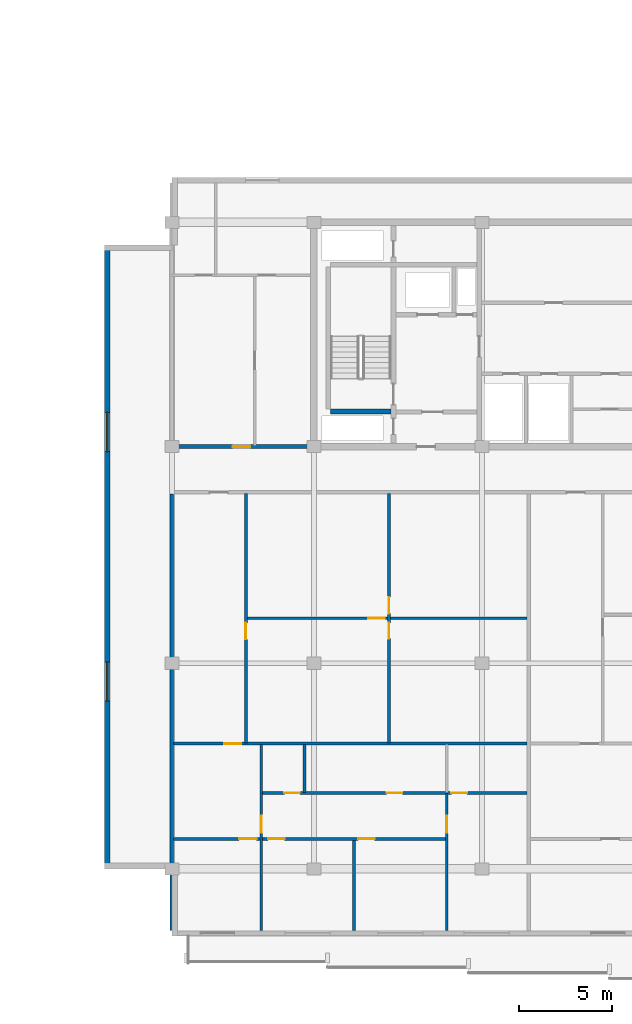
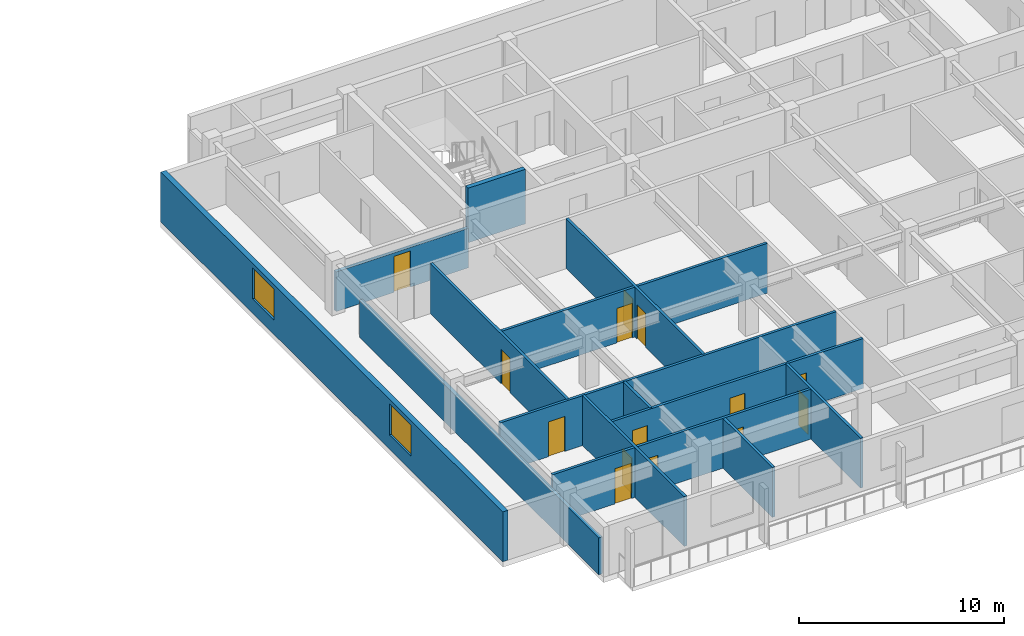
# One storey, part 4 of 23: 14 doors, 14 walls, 2 windows, 16 openings.
"""IFC4 building model written with IfcOpenShell, lengths in metres."""

from ifc_helpers import new_model, si_unit, direction, frame, frame_2d, origin, place, context, subcontext, project, spatial, rectangle, extrude, material, layer, layer_set, type_object, element, fill, save


model = new_model("IFC4")

# Units and contexts
model_context = context("Model", 3, precision=1e-05, world=origin(), true_north=direction((0.0, 1.0)))
body_context = subcontext(model_context, "Body", "Model", "MODEL_VIEW")
ifc_project = project(units=[si_unit("LENGTHUNIT", "METRE"), si_unit("AREAUNIT", "SQUARE_METRE"), si_unit("VOLUMEUNIT", "CUBIC_METRE"), si_unit("PLANEANGLEUNIT", "RADIAN"), si_unit("MASSUNIT", "GRAM", prefix="KILO")], contexts=[model_context])

# Site, building, storey
site_placement = place(None, origin())
site = spatial("IfcSite", under=ifc_project, at=site_placement, CompositionType="ELEMENT")
building_placement = place(site_placement, origin())
building = spatial("IfcBuilding", under=site, at=building_placement, Name="Korimba Cascade Residences", CompositionType="ELEMENT")
storey_placement = place(building_placement, frame((0.0, 0.0, 162.10009765625)))
storey = spatial("IfcBuildingStorey", under=building, at=storey_placement, Name="L46", CompositionType="ELEMENT", Elevation=162.10009765625)

# Wall, openings, windows
ifc_material_1 = material(Name="Precast concrete C40/50", Category="concrete")
ifc_layer_1 = layer(ifc_material_1, 0.300048828125)
ifc_layer_set_1 = layer_set([ifc_layer_1], Name="Precast concrete C40/50")
wall_type_1 = type_object("IfcWallType", Name="EW-STONE-300", PredefinedType="STANDARD", material=ifc_layer_set_1)
wall_1_placement = place(storey_placement, frame((71.050048828125, 29.199951171875, 0.0), z_axis=(0.0, 0.0, 1.0), x_axis=(0.0, -1.0, 0.0)))
wall_1 = element("IfcWall", 1, at=wall_1_placement, inside=storey, type_object=wall_type_1, Name="L46 T2 Perimeter Stone Wall E09", PredefinedType="STANDARD", context=body_context, shape_type="SweptSolid", body=[
    extrude(rectangle(XDim=33.39990234375, YDim=0.300048828125, at=frame_2d((16.699951171875, 0.0))), origin(), (0.0, 0.0, 1.0), 2.969970703125),
])
opening_1_placement = place(wall_1_placement, frame((8.969970703125, 0.0, 0.85009765625)))
opening_1 = element("IfcOpeningElement", 2, at=opening_1_placement, cuts=wall_1, Name="Opening W-03", PredefinedType="OPENING", context=body_context, shape_type="SweptSolid", body=[
    extrude(rectangle(XDim=2.10009765625, YDim=1.85009765625, at=frame_2d((1.050048828125, 0.925048828125))), frame((0.0, 0.16015625, 0.0), z_axis=(0.0, -1.0, 0.0), x_axis=(1.0, 0.0, 0.0)), (0.0, 0.0, 1.0), 0.320068359375),
])
opening_2_placement = place(wall_1_placement, frame((22.330078125, 0.0, 0.85009765625)))
opening_2 = element("IfcOpeningElement", 3, at=opening_2_placement, cuts=wall_1, Name="Opening W-03", PredefinedType="OPENING", context=body_context, shape_type="SweptSolid", body=[
    extrude(rectangle(XDim=2.10009765625, YDim=1.85009765625, at=frame_2d((1.050048828125, 0.925048828125))), frame((0.0, 0.16015625, 0.0), z_axis=(0.0, -1.0, 0.0), x_axis=(1.0, 0.0, 0.0)), (0.0, 0.0, 1.0), 0.320068359375),
])
ifc_material_2 = material(Name="Double-Glazed Aluminium Window", Category="aluminium")
window_type = type_object("IfcWindowType", Name="WIN-CRN-2100", PartitioningType="DOUBLE_PANEL_HORIZONTAL", PredefinedType="WINDOW", material=ifc_material_2)
window_1_placement = place(opening_1_placement, origin())
window_1 = element("IfcWindow", 4, at=window_1_placement, inside=storey, type_object=window_type, Name="L46 T2 End View Window 9.1", OverallHeight=1.85009765625, OverallWidth=2.10009765625, PartitioningType="DOUBLE_PANEL_HORIZONTAL", PredefinedType="WINDOW", context=body_context, shape_type="SweptSolid", body=[
    extrude(rectangle(XDim=2.10009765625, YDim=1.85009765625, at=frame_2d((1.050048828125, 0.925048828125))), frame((0.0, 0.030029296875, 0.0), z_axis=(0.0, -1.0, 0.0), x_axis=(1.0, 0.0, 0.0)), (0.0, 0.0, 1.0), 0.06005859375),
])
fill(opening_1, window_1)
window_2_placement = place(opening_2_placement, origin())
window_2 = element("IfcWindow", 5, at=window_2_placement, inside=storey, type_object=window_type, Name="L46 T2 End View Window 9.2", OverallHeight=1.85009765625, OverallWidth=2.10009765625, PartitioningType="DOUBLE_PANEL_HORIZONTAL", PredefinedType="WINDOW", context=body_context, shape_type="SweptSolid", body=[
    extrude(rectangle(XDim=2.10009765625, YDim=1.85009765625, at=frame_2d((1.050048828125, 0.925048828125))), frame((0.0, 0.030029296875, 0.0), z_axis=(0.0, -1.0, 0.0), x_axis=(1.0, 0.0, 0.0)), (0.0, 0.0, 1.0), 0.06005859375),
])
fill(opening_2, window_2)

# Wall, opening, door
ifc_layer_2 = layer(ifc_material_1, 0.199951171875)
ifc_layer_set_2 = layer_set([ifc_layer_2], Name="Precast concrete C40/50")
wall_type_2 = type_object("IfcWallType", Name="WAL-IT-200", PredefinedType="PARTITIONING", material=ifc_layer_set_2)
wall_2_placement = place(storey_placement, frame((74.5, 18.39990234375, 0.0), z_axis=(0.0, 0.0, 1.0), x_axis=(1.0, 0.0, 0.0)))
wall_2 = element("IfcWall", 6, at=wall_2_placement, inside=storey, type_object=wall_type_2, Name="L46 Partition Wall WAL-L46-T2-FW-S", PredefinedType="PARTITIONING", context=body_context, shape_type="SweptSolid", body=[
    extrude(rectangle(XDim=7.449951171875, YDim=0.199951171875, at=frame_2d((3.72509765625, 0.0))), origin(), (0.0, 0.0, 1.0), 2.357666015625),
])
opening_3_placement = place(wall_2_placement, frame((3.25, 0.0, 0.0)))
opening_3 = element("IfcOpeningElement", 7, at=opening_3_placement, cuts=wall_2, Name="Opening D-UN1", PredefinedType="OPENING", context=body_context, shape_type="SweptSolid", body=[
    extrude(rectangle(XDim=0.949951171875, YDim=2.14990234375, at=frame_2d((0.47509765625, 1.074951171875))), frame((0.0, 0.10986328125, 0.0), z_axis=(0.0, -1.0, 0.0), x_axis=(1.0, 0.0, 0.0)), (0.0, 0.0, 1.0), 0.219970703125),
])
ifc_material_3 = material(Name="Fire-Rated Hardwood Apartment Entrance Door", Category="wood")
door_type_1 = type_object("IfcDoorType", Name="DR-FD60-950", OperationType="NOTDEFINED", PredefinedType="DOOR", material=ifc_material_3)
door_1_placement = place(opening_3_placement, origin())
door_1 = element("IfcDoor", 8, at=door_1_placement, inside=storey, type_object=door_type_1, Name="L46-T2-FW Entrance Door", OperationType="SINGLE_SWING_LEFT", OverallHeight=2.14990234375, OverallWidth=0.949951171875, PredefinedType="DOOR", context=body_context, shape_type="SweptSolid", body=[
    extrude(rectangle(XDim=0.949951171875, YDim=2.14990234375, at=frame_2d((0.47509765625, 1.074951171875))), frame((0.0, 0.02490234375, 0.0), z_axis=(0.0, -1.0, 0.0), x_axis=(1.0, 0.0, 0.0)), (0.0, 0.0, 1.0), 0.050048828125),
])
fill(opening_3, door_1)

# Wall
wall_3_placement = place(storey_placement, frame((74.5, -7.5, 0.0), z_axis=(0.0, 0.0, 1.0), x_axis=(0.0, 1.0, 0.0)))
element("IfcWall", 9, at=wall_3_placement, inside=storey, type_object=wall_type_2, Name="L46 Partition Wall WAL-L46-T2-BNDWL", PredefinedType="PARTITIONING", context=body_context, shape_type="SweptSolid", body=[
    extrude(rectangle(XDim=23.3701171875, YDim=0.199951171875, at=frame_2d((11.68505859375, 0.0))), origin(), (0.0, 0.0, 1.0), 2.2001953125),
])

# Wall, openings, doors
ifc_material_4 = material(Name="Insulated Acoustic Stud Partition", Category="gypsum")
ifc_layer_3 = layer(ifc_material_4, 0.14990234375)
ifc_layer_set_3 = layer_set([ifc_layer_3], Name="Insulated Acoustic Stud Partition")
wall_type_3 = type_object("IfcWallType", Name="WAL-PART-150", PredefinedType="PARTITIONING", material=ifc_layer_set_3)
wall_4_placement = place(storey_placement, frame((86.12451171875, 2.5400390625, 0.0), z_axis=(0.0, 0.0, 1.0), x_axis=(0.0, 1.0, 0.0)))
wall_4 = element("IfcWall", 10, at=wall_4_placement, inside=storey, type_object=wall_type_3, Name="L46 Partition Wall WAL-L46-T2-U01-FMV", PredefinedType="PARTITIONING", context=body_context, shape_type="SweptSolid", body=[
    extrude(rectangle(XDim=13.349853515625, YDim=0.14990234375, at=frame_2d((6.6748046875, 0.0))), origin(), (0.0, 0.0, 1.0), 2.969970703125),
])
opening_4_placement = place(wall_4_placement, frame((5.5849609375, 0.0, 0.0)))
opening_4 = element("IfcOpeningElement", 11, at=opening_4_placement, cuts=wall_4, Name="Opening D-BT1", PredefinedType="OPENING", context=body_context, shape_type="SweptSolid", body=[
    extrude(rectangle(XDim=0.840087890625, YDim=2.0400390625, at=frame_2d((0.419921875, 1.02001953125))), frame((0.0, 0.0849609375, 0.0), z_axis=(0.0, -1.0, 0.0), x_axis=(1.0, 0.0, 0.0)), (0.0, 0.0, 1.0), 0.169921875),
])
opening_5_placement = place(wall_4_placement, frame((6.925048828125, 0.0, 0.0)))
opening_5 = element("IfcOpeningElement", 12, at=opening_5_placement, cuts=wall_4, Name="Opening D-IN2", PredefinedType="OPENING", context=body_context, shape_type="SweptSolid", body=[
    extrude(rectangle(XDim=0.8798828125, YDim=2.06005859375, at=frame_2d((0.43994140625, 1.030029296875))), frame((0.0, 0.0849609375, 0.0), z_axis=(0.0, -1.0, 0.0), x_axis=(1.0, 0.0, 0.0)), (0.0, 0.0, 1.0), 0.169921875),
])
ifc_material_5 = material(Name="Moisture-Resistant Bathroom Timber Door", Category="wood")
door_type_2 = type_object("IfcDoorType", Name="DR-INT-850", OperationType="NOTDEFINED", PredefinedType="DOOR", material=ifc_material_5)
door_2_placement = place(opening_4_placement, origin())
door_2 = element("IfcDoor", 13, at=door_2_placement, inside=storey, type_object=door_type_2, Name="L46-T2-U01 Wardrobe Door", OperationType="SINGLE_SWING_RIGHT", OverallHeight=2.0400390625, OverallWidth=0.840087890625, PredefinedType="DOOR", context=body_context, shape_type="SweptSolid", body=[
    extrude(rectangle(XDim=0.840087890625, YDim=2.0400390625, at=frame_2d((0.419921875, 1.02001953125))), frame((0.0, 0.02490234375, 0.0), z_axis=(0.0, -1.0, 0.0), x_axis=(1.0, 0.0, 0.0)), (0.0, 0.0, 1.0), 0.050048828125),
])
fill(opening_4, door_2)
ifc_material_6 = material(Name="Acoustic Timber Bedroom Door", Category="wood")
door_type_3 = type_object("IfcDoorType", Name="DR-INT-880", OperationType="NOTDEFINED", PredefinedType="DOOR", material=ifc_material_6)
door_3_placement = place(opening_5_placement, origin())
door_3 = element("IfcDoor", 14, at=door_3_placement, inside=storey, type_object=door_type_3, Name="L46-T2-U01 Music Lounge Door", OperationType="SINGLE_SWING_LEFT", OverallHeight=2.06005859375, OverallWidth=0.8798828125, PredefinedType="DOOR", context=body_context, shape_type="SweptSolid", body=[
    extrude(rectangle(XDim=0.8798828125, YDim=2.06005859375, at=frame_2d((0.43994140625, 1.030029296875))), frame((0.0, 0.02490234375, 0.0), z_axis=(0.0, -1.0, 0.0), x_axis=(1.0, 0.0, 0.0)), (0.0, 0.0, 1.0), 0.050048828125),
])
fill(opening_5, door_3)

# Wall, opening, door
wall_5_placement = place(storey_placement, frame((78.530029296875, 9.215087890625, 0.0), z_axis=(0.0, 0.0, 1.0), x_axis=(1.0, 0.0, 0.0)))
wall_5 = element("IfcWall", 15, at=wall_5_placement, inside=storey, type_object=wall_type_3, Name="L46 Partition Wall WAL-L46-T2-U01-FMH", PredefinedType="PARTITIONING", context=body_context, shape_type="SweptSolid", body=[
    extrude(rectangle(XDim=14.9892578125, YDim=0.14990234375, at=frame_2d((7.49462890625, 0.0))), origin(), (0.0, 0.0, 1.0), 2.969970703125),
])
opening_6_placement = place(wall_5_placement, frame((6.49462890625, 0.0, 0.0)))
opening_6 = element("IfcOpeningElement", 16, at=opening_6_placement, cuts=wall_5, Name="Opening D-IN2", PredefinedType="OPENING", context=body_context, shape_type="SweptSolid", body=[
    extrude(rectangle(XDim=0.8798828125, YDim=2.06005859375, at=frame_2d((0.43994140625, 1.030029296875))), frame((0.0, 0.0849609375, 0.0), z_axis=(0.0, -1.0, 0.0), x_axis=(1.0, 0.0, 0.0)), (0.0, 0.0, 1.0), 0.169921875),
])
door_4_placement = place(opening_6_placement, origin())
door_4 = element("IfcDoor", 17, at=door_4_placement, inside=storey, type_object=door_type_3, Name="L46-T2-U01 Library Salon Door", OperationType="SINGLE_SWING_RIGHT", OverallHeight=2.06005859375, OverallWidth=0.8798828125, PredefinedType="DOOR", context=body_context, shape_type="SweptSolid", body=[
    extrude(rectangle(XDim=0.8798828125, YDim=2.06005859375, at=frame_2d((0.43994140625, 1.030029296875))), frame((0.0, 0.02490234375, 0.0), z_axis=(0.0, -1.0, 0.0), x_axis=(1.0, 0.0, 0.0)), (0.0, 0.0, 1.0), 0.050048828125),
])
fill(opening_6, door_4)

wall_6_placement = place(storey_placement, frame((78.469970703125, 2.5400390625, 0.0), z_axis=(0.0, 0.0, 1.0), x_axis=(0.0, 1.0, 0.0)))
wall_6 = element("IfcWall", 18, at=wall_6_placement, inside=storey, type_object=wall_type_3, Name="L46 Partition Wall WAL-L46-T2-U01-FV", PredefinedType="PARTITIONING", context=body_context, shape_type="SweptSolid", body=[
    extrude(rectangle(XDim=13.349853515625, YDim=0.14990234375, at=frame_2d((6.6748046875, 0.0))), origin(), (0.0, 0.0, 1.0), 2.969970703125),
])
opening_7_placement = place(wall_6_placement, frame((5.544921875, 0.0, 0.0)))
opening_7 = element("IfcOpeningElement", 19, at=opening_7_placement, cuts=wall_6, Name="Opening D-IN2", PredefinedType="OPENING", context=body_context, shape_type="SweptSolid", body=[
    extrude(rectangle(XDim=0.8798828125, YDim=2.06005859375, at=frame_2d((0.43994140625, 1.030029296875))), frame((0.0, 0.0849609375, 0.0), z_axis=(0.0, -1.0, 0.0), x_axis=(1.0, 0.0, 0.0)), (0.0, 0.0, 1.0), 0.169921875),
])
door_5_placement = place(opening_7_placement, origin())
door_5 = element("IfcDoor", 20, at=door_5_placement, inside=storey, type_object=door_type_3, Name="L46-T2-U01 Media Lounge Door", OperationType="SINGLE_SWING_LEFT", OverallHeight=2.06005859375, OverallWidth=0.8798828125, PredefinedType="DOOR", context=body_context, shape_type="SweptSolid", body=[
    extrude(rectangle(XDim=0.8798828125, YDim=2.06005859375, at=frame_2d((0.43994140625, 1.030029296875))), frame((0.0, 0.02490234375, 0.0), z_axis=(0.0, -1.0, 0.0), x_axis=(1.0, 0.0, 0.0)), (0.0, 0.0, 1.0), 0.050048828125),
])
fill(opening_7, door_5)

# Walls
wall_7_placement = place(storey_placement, frame((81.60009765625, -0.1201171875, 0.0), z_axis=(0.0, 0.0, 1.0), x_axis=(0.0, 1.0, 0.0)))
element("IfcWall", 21, at=wall_7_placement, inside=storey, type_object=wall_type_3, Name="L46 Partition Wall WAL-L46-T2-U01-VDRS", PredefinedType="PARTITIONING", context=body_context, shape_type="SweptSolid", body=[
    extrude(rectangle(XDim=2.580078125, YDim=0.14990234375, at=frame_2d((1.2900390625, 0.0))), origin(), (0.0, 0.0, 1.0), 2.969970703125),
])
wall_8_placement = place(storey_placement, frame((84.2548828125, -7.5, 0.0), z_axis=(0.0, 0.0, 1.0), x_axis=(0.0, 1.0, 0.0)))
element("IfcWall", 22, at=wall_8_placement, inside=storey, type_object=wall_type_3, Name="L46 Partition Wall WAL-L46-T2-U01-VB3", PredefinedType="PARTITIONING", context=body_context, shape_type="SweptSolid", body=[
    extrude(rectangle(XDim=4.820068359375, YDim=0.14990234375, at=frame_2d((2.41015625, 0.0))), origin(), (0.0, 0.0, 1.0), 2.969970703125),
])

# Wall, opening, door
wall_9_placement = place(storey_placement, frame((79.2900390625, -7.5, 0.0), z_axis=(0.0, 0.0, 1.0), x_axis=(0.0, 1.0, 0.0)))
wall_9 = element("IfcWall", 23, at=wall_9_placement, inside=storey, type_object=wall_type_3, Name="L46 Partition Wall WAL-L46-T2-U01-V1", PredefinedType="PARTITIONING", context=body_context, shape_type="SweptSolid", body=[
    extrude(rectangle(XDim=9.9599609375, YDim=0.14990234375, at=frame_2d((4.97998046875, 0.0))), origin(), (0.0, 0.0, 1.0), 2.969970703125),
])
opening_8_placement = place(wall_9_placement, frame((5.219970703125, 0.0, 0.0)))
opening_8 = element("IfcOpeningElement", 24, at=opening_8_placement, cuts=wall_9, Name="Opening D-IN1", PredefinedType="OPENING", context=body_context, shape_type="SweptSolid", body=[
    extrude(rectangle(XDim=0.919921875, YDim=2.080078125, at=frame_2d((0.4599609375, 1.0400390625))), frame((0.0, 0.0849609375, 0.0), z_axis=(0.0, -1.0, 0.0), x_axis=(1.0, 0.0, 0.0)), (0.0, 0.0, 1.0), 0.169921875),
])
ifc_material_7 = material(Name="Acoustic Timber Living Door", Category="wood")
door_type_4 = type_object("IfcDoorType", Name="DR-INT-920", OperationType="NOTDEFINED", PredefinedType="DOOR", material=ifc_material_7)
door_6_placement = place(opening_8_placement, origin())
door_6 = element("IfcDoor", 25, at=door_6_placement, inside=storey, type_object=door_type_4, Name="L46-T2-U01 Hallway Door", OperationType="SINGLE_SWING_RIGHT", OverallHeight=2.080078125, OverallWidth=0.919921875, PredefinedType="DOOR", context=body_context, shape_type="SweptSolid", body=[
    extrude(rectangle(XDim=0.919921875, YDim=2.080078125, at=frame_2d((0.4599609375, 1.0400390625))), frame((0.0, 0.02490234375, 0.0), z_axis=(0.0, -1.0, 0.0), x_axis=(1.0, 0.0, 0.0)), (0.0, 0.0, 1.0), 0.050048828125),
])
fill(opening_8, door_6)

wall_10_placement = place(storey_placement, frame((89.219970703125, -7.5, 0.0), z_axis=(0.0, 0.0, 1.0), x_axis=(0.0, 1.0, 0.0)))
wall_10 = element("IfcWall", 26, at=wall_10_placement, inside=storey, type_object=wall_type_3, Name="L46 Partition Wall WAL-L46-T2-U01-V2FULL", PredefinedType="PARTITIONING", context=body_context, shape_type="SweptSolid", body=[
    extrude(rectangle(XDim=7.340087890625, YDim=0.14990234375, at=frame_2d((3.669921875, 0.0))), origin(), (0.0, 0.0, 1.0), 2.969970703125),
])
opening_9_placement = place(wall_10_placement, frame((5.219970703125, 0.0, 0.0)))
opening_9 = element("IfcOpeningElement", 27, at=opening_9_placement, cuts=wall_10, Name="Opening D-IN1", PredefinedType="OPENING", context=body_context, shape_type="SweptSolid", body=[
    extrude(rectangle(XDim=0.919921875, YDim=2.080078125, at=frame_2d((0.4599609375, 1.0400390625))), frame((0.0, 0.0849609375, 0.0), z_axis=(0.0, -1.0, 0.0), x_axis=(1.0, 0.0, 0.0)), (0.0, 0.0, 1.0), 0.169921875),
])
door_7_placement = place(opening_9_placement, origin())
door_7 = element("IfcDoor", 28, at=door_7_placement, inside=storey, type_object=door_type_4, Name="L46-T2-U01 Master Bedroom Door", OperationType="SINGLE_SWING_LEFT", OverallHeight=2.080078125, OverallWidth=0.919921875, PredefinedType="DOOR", context=body_context, shape_type="SweptSolid", body=[
    extrude(rectangle(XDim=0.919921875, YDim=2.080078125, at=frame_2d((0.4599609375, 1.0400390625))), frame((0.0, 0.02490234375, 0.0), z_axis=(0.0, -1.0, 0.0), x_axis=(1.0, 0.0, 0.0)), (0.0, 0.0, 1.0), 0.050048828125),
])
fill(opening_9, door_7)

# Wall, openings, doors
wall_11_placement = place(storey_placement, frame((79.330078125, -0.139892578125, 0.0), z_axis=(0.0, 0.0, 1.0), x_axis=(1.0, 0.0, 0.0)))
wall_11 = element("IfcWall", 29, at=wall_11_placement, inside=storey, type_object=wall_type_3, Name="L46 Partition Wall WAL-L46-T2-U01-HWALL", PredefinedType="PARTITIONING", context=body_context, shape_type="SweptSolid", body=[
    extrude(rectangle(XDim=14.189208984375, YDim=0.14990234375, at=frame_2d((7.0947265625, 0.0))), origin(), (0.0, 0.0, 1.0), 2.969970703125),
])
opening_10_placement = place(wall_11_placement, frame((1.19091796875, 0.0, 0.0)))
opening_10 = element("IfcOpeningElement", 30, at=opening_10_placement, cuts=wall_11, Name="Opening D-BT1", PredefinedType="OPENING", context=body_context, shape_type="SweptSolid", body=[
    extrude(rectangle(XDim=0.840087890625, YDim=2.0400390625, at=frame_2d((0.419921875, 1.02001953125))), frame((0.0, 0.0849609375, 0.0), z_axis=(0.0, -1.0, 0.0), x_axis=(1.0, 0.0, 0.0)), (0.0, 0.0, 1.0), 0.169921875),
])
opening_11_placement = place(wall_11_placement, frame((6.674560546875, 0.0, 0.0)))
opening_11 = element("IfcOpeningElement", 31, at=opening_11_placement, cuts=wall_11, Name="Opening D-BT1", PredefinedType="OPENING", context=body_context, shape_type="SweptSolid", body=[
    extrude(rectangle(XDim=0.840087890625, YDim=2.0400390625, at=frame_2d((0.419921875, 1.02001953125))), frame((0.0, 0.0849609375, 0.0), z_axis=(0.0, -1.0, 0.0), x_axis=(1.0, 0.0, 0.0)), (0.0, 0.0, 1.0), 0.169921875),
])
opening_12_placement = place(wall_11_placement, frame((10.139892578125, 0.0, 0.0)))
opening_12 = element("IfcOpeningElement", 32, at=opening_12_placement, cuts=wall_11, Name="Opening D-BT1", PredefinedType="OPENING", context=body_context, shape_type="SweptSolid", body=[
    extrude(rectangle(XDim=0.840087890625, YDim=2.0400390625, at=frame_2d((0.419921875, 1.02001953125))), frame((0.0, 0.0849609375, 0.0), z_axis=(0.0, -1.0, 0.0), x_axis=(1.0, 0.0, 0.0)), (0.0, 0.0, 1.0), 0.169921875),
])
door_8_placement = place(opening_10_placement, origin())
door_8 = element("IfcDoor", 33, at=door_8_placement, inside=storey, type_object=door_type_2, Name="L46-T2-U01 Family Bathroom Door", OperationType="SINGLE_SWING_RIGHT", OverallHeight=2.0400390625, OverallWidth=0.840087890625, PredefinedType="DOOR", context=body_context, shape_type="SweptSolid", body=[
    extrude(rectangle(XDim=0.840087890625, YDim=2.0400390625, at=frame_2d((0.419921875, 1.02001953125))), frame((0.0, 0.02490234375, 0.0), z_axis=(0.0, -1.0, 0.0), x_axis=(1.0, 0.0, 0.0)), (0.0, 0.0, 1.0), 0.050048828125),
])
fill(opening_10, door_8)
door_9_placement = place(opening_11_placement, origin())
door_9 = element("IfcDoor", 34, at=door_9_placement, inside=storey, type_object=door_type_2, Name="L46-T2-U01 Dressing Room Door", OperationType="SINGLE_SWING_LEFT", OverallHeight=2.0400390625, OverallWidth=0.840087890625, PredefinedType="DOOR", context=body_context, shape_type="SweptSolid", body=[
    extrude(rectangle(XDim=0.840087890625, YDim=2.0400390625, at=frame_2d((0.419921875, 1.02001953125))), frame((0.0, 0.02490234375, 0.0), z_axis=(0.0, -1.0, 0.0), x_axis=(1.0, 0.0, 0.0)), (0.0, 0.0, 1.0), 0.050048828125),
])
fill(opening_11, door_9)
door_10_placement = place(opening_12_placement, origin())
door_10 = element("IfcDoor", 35, at=door_10_placement, inside=storey, type_object=door_type_2, Name="L46-T2-U01 En-Suite Door", OperationType="SINGLE_SWING_RIGHT", OverallHeight=2.0400390625, OverallWidth=0.840087890625, PredefinedType="DOOR", context=body_context, shape_type="SweptSolid", body=[
    extrude(rectangle(XDim=0.840087890625, YDim=2.0400390625, at=frame_2d((0.419921875, 1.02001953125))), frame((0.0, 0.02490234375, 0.0), z_axis=(0.0, -1.0, 0.0), x_axis=(1.0, 0.0, 0.0)), (0.0, 0.0, 1.0), 0.050048828125),
])
fill(opening_12, door_10)

# Wall, opening, door
wall_12_placement = place(storey_placement, frame((74.580078125, 2.5, 0.0), z_axis=(0.0, 0.0, 1.0), x_axis=(1.0, 0.0, 0.0)))
wall_12 = element("IfcWall", 36, at=wall_12_placement, inside=storey, type_object=wall_type_3, Name="L46 Partition Wall WAL-L46-T2-U01-MW", PredefinedType="PARTITIONING", context=body_context, shape_type="SweptSolid", body=[
    extrude(rectangle(XDim=18.939208984375, YDim=0.14990234375, at=frame_2d((9.4697265625, 0.0))), origin(), (0.0, 0.0, 1.0), 2.969970703125),
])
opening_13_placement = place(wall_12_placement, frame((2.719970703125, 0.0, 0.0)))
opening_13 = element("IfcOpeningElement", 37, at=opening_13_placement, cuts=wall_12, Name="Opening D-IN1", PredefinedType="OPENING", context=body_context, shape_type="SweptSolid", body=[
    extrude(rectangle(XDim=0.919921875, YDim=2.080078125, at=frame_2d((0.4599609375, 1.0400390625))), frame((0.0, 0.0849609375, 0.0), z_axis=(0.0, -1.0, 0.0), x_axis=(1.0, 0.0, 0.0)), (0.0, 0.0, 1.0), 0.169921875),
])
door_11_placement = place(opening_13_placement, origin())
door_11 = element("IfcDoor", 38, at=door_11_placement, inside=storey, type_object=door_type_4, Name="L46-T2-U01 Kitchen Door", OperationType="SINGLE_SWING_LEFT", OverallHeight=2.080078125, OverallWidth=0.919921875, PredefinedType="DOOR", context=body_context, shape_type="SweptSolid", body=[
    extrude(rectangle(XDim=0.919921875, YDim=2.080078125, at=frame_2d((0.4599609375, 1.0400390625))), frame((0.0, 0.02490234375, 0.0), z_axis=(0.0, -1.0, 0.0), x_axis=(1.0, 0.0, 0.0)), (0.0, 0.0, 1.0), 0.050048828125),
])
fill(opening_13, door_11)

# Wall, openings, doors
wall_13_placement = place(storey_placement, frame((74.580078125, -2.60009765625, 0.0), z_axis=(0.0, 0.0, 1.0), x_axis=(1.0, 0.0, 0.0)))
wall_13 = element("IfcWall", 39, at=wall_13_placement, inside=storey, type_object=wall_type_3, Name="L46 Partition Wall WAL-L46-T2-U01-HZ", PredefinedType="PARTITIONING", context=body_context, shape_type="SweptSolid", body=[
    extrude(rectangle(XDim=14.639892578125, YDim=0.14990234375, at=frame_2d((7.31982421875, 0.0))), origin(), (0.0, 0.0, 1.0), 2.969970703125),
])
opening_14_placement = place(wall_13_placement, frame((3.52001953125, 0.0, 0.0)))
opening_14 = element("IfcOpeningElement", 40, at=opening_14_placement, cuts=wall_13, Name="Opening D-IN0", PredefinedType="OPENING", context=body_context, shape_type="SweptSolid", body=[
    extrude(rectangle(XDim=0.93994140625, YDim=2.10009765625, at=frame_2d((0.469970703125, 1.050048828125))), frame((0.0, 0.0849609375, 0.0), z_axis=(0.0, -1.0, 0.0), x_axis=(1.0, 0.0, 0.0)), (0.0, 0.0, 1.0), 0.169921875),
])
opening_15_placement = place(wall_13_placement, frame((5.07568359375, 0.0, 0.0)))
opening_15 = element("IfcOpeningElement", 41, at=opening_15_placement, cuts=wall_13, Name="Opening D-IN2", PredefinedType="OPENING", context=body_context, shape_type="SweptSolid", body=[
    extrude(rectangle(XDim=0.8798828125, YDim=2.06005859375, at=frame_2d((0.43994140625, 1.030029296875))), frame((0.0, 0.0849609375, 0.0), z_axis=(0.0, -1.0, 0.0), x_axis=(1.0, 0.0, 0.0)), (0.0, 0.0, 1.0), 0.169921875),
])
opening_16_placement = place(wall_13_placement, frame((9.89501953125, 0.0, 0.0)))
opening_16 = element("IfcOpeningElement", 42, at=opening_16_placement, cuts=wall_13, Name="Opening D-IN2", PredefinedType="OPENING", context=body_context, shape_type="SweptSolid", body=[
    extrude(rectangle(XDim=0.8798828125, YDim=2.06005859375, at=frame_2d((0.43994140625, 1.030029296875))), frame((0.0, 0.0849609375, 0.0), z_axis=(0.0, -1.0, 0.0), x_axis=(1.0, 0.0, 0.0)), (0.0, 0.0, 1.0), 0.169921875),
])
door_12_placement = place(opening_15_placement, origin())
door_12 = element("IfcDoor", 43, at=door_12_placement, inside=storey, type_object=door_type_3, Name="L46-T2-U01 Bedroom 2 Door", OperationType="SINGLE_SWING_LEFT", OverallHeight=2.06005859375, OverallWidth=0.8798828125, PredefinedType="DOOR", context=body_context, shape_type="SweptSolid", body=[
    extrude(rectangle(XDim=0.8798828125, YDim=2.06005859375, at=frame_2d((0.43994140625, 1.030029296875))), frame((0.0, 0.02490234375, 0.0), z_axis=(0.0, -1.0, 0.0), x_axis=(1.0, 0.0, 0.0)), (0.0, 0.0, 1.0), 0.050048828125),
])
fill(opening_15, door_12)
door_13_placement = place(opening_16_placement, origin())
door_13 = element("IfcDoor", 44, at=door_13_placement, inside=storey, type_object=door_type_3, Name="L46-T2-U01 Bedroom 3 Door", OperationType="SINGLE_SWING_RIGHT", OverallHeight=2.06005859375, OverallWidth=0.8798828125, PredefinedType="DOOR", context=body_context, shape_type="SweptSolid", body=[
    extrude(rectangle(XDim=0.8798828125, YDim=2.06005859375, at=frame_2d((0.43994140625, 1.030029296875))), frame((0.0, 0.02490234375, 0.0), z_axis=(0.0, -1.0, 0.0), x_axis=(1.0, 0.0, 0.0)), (0.0, 0.0, 1.0), 0.050048828125),
])
fill(opening_16, door_13)
ifc_material_8 = material(Name="Acoustic Timber Living Archway Door", Category="wood")
door_type_5 = type_object("IfcDoorType", Name="DR-INT-950", OperationType="NOTDEFINED", PredefinedType="DOOR", material=ifc_material_8)
door_14_placement = place(opening_14_placement, origin())
door_14 = element("IfcDoor", 45, at=door_14_placement, inside=storey, type_object=door_type_5, Name="L46-T2-U01 Living Room Door", OperationType="SINGLE_SWING_RIGHT", OverallHeight=2.10009765625, OverallWidth=0.93994140625, PredefinedType="DOOR", context=body_context, shape_type="SweptSolid", body=[
    extrude(rectangle(XDim=0.93994140625, YDim=2.10009765625, at=frame_2d((0.469970703125, 1.050048828125))), frame((0.0, 0.02490234375, 0.0), z_axis=(0.0, -1.0, 0.0), x_axis=(1.0, 0.0, 0.0)), (0.0, 0.0, 1.0), 0.050048828125),
])
fill(opening_14, door_14)

# Wall
ifc_material_9 = material(Name="Concrete C50/60", Category="concrete")
ifc_layer_4 = layer(ifc_material_9, 0.25)
ifc_layer_set_4 = layer_set([ifc_layer_4], Name="Concrete C50/60")
wall_type_4 = type_object("IfcWallType", Name="WAL-SHAFT-250", PredefinedType="SHEAR", material=ifc_layer_set_4)
wall_14_placement = place(storey_placement, frame((83.0, 20.27490234375, 0.0), z_axis=(0.0, 0.0, 1.0), x_axis=(1.0, 0.0, 0.0)))
element("IfcWall", 46, at=wall_14_placement, inside=storey, type_object=wall_type_4, Name="L46 Core Shear Wall CW-L46-T2-STE1S", PredefinedType="SHEAR", context=body_context, shape_type="SweptSolid", body=[
    extrude(rectangle(XDim=3.239990234375, YDim=0.25, at=frame_2d((1.6201171875, 0.0))), origin(), (0.0, 0.0, 1.0), 3.25),
])

save(model, "model.ifc")
